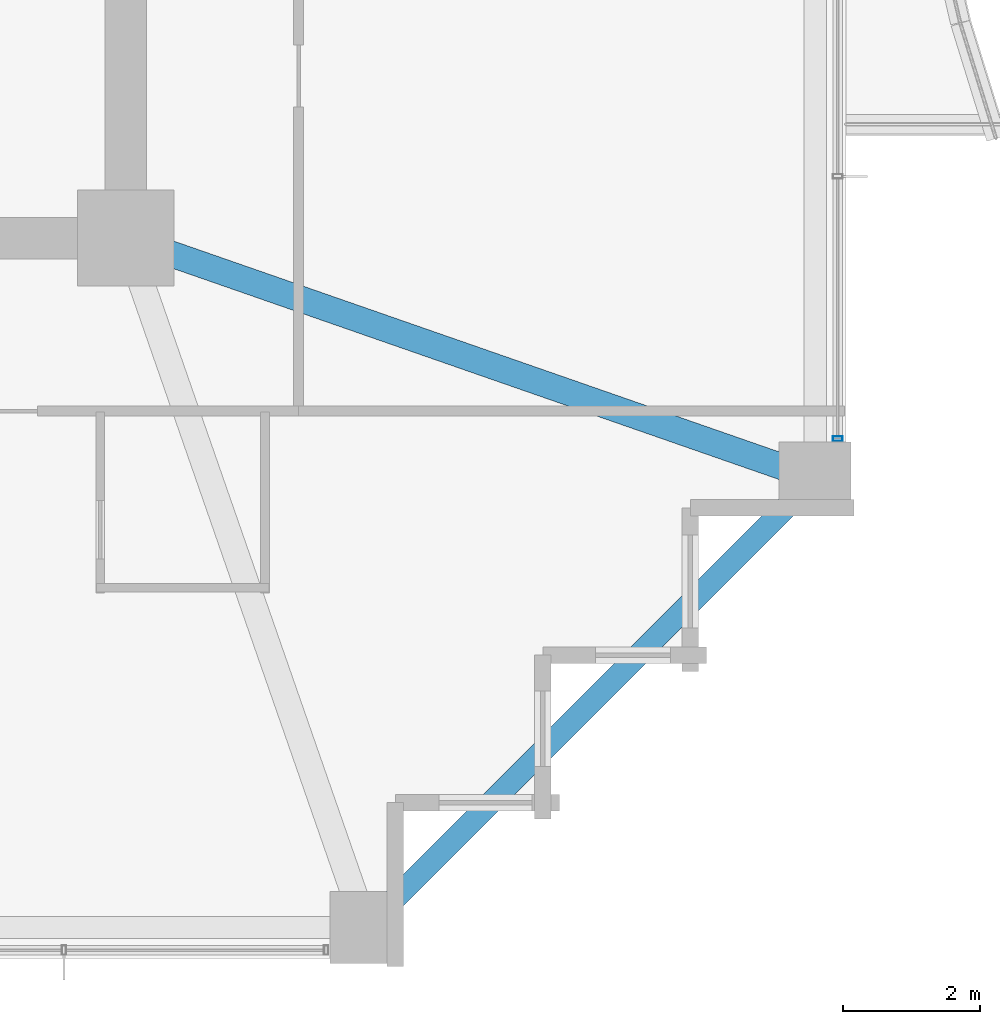
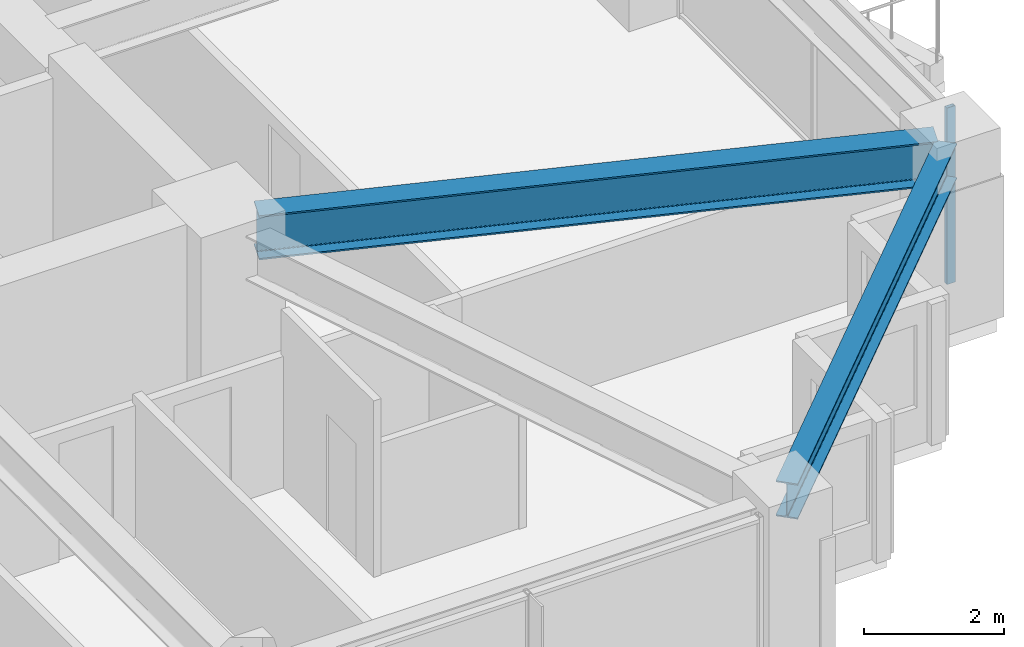
# One storey, part 13 of 36: 2 beams, 1 member, 1 element without a shape of its own.
"""IFC4 building model written with IfcOpenShell, lengths in metres."""

from ifc_helpers import new_model, si_unit, direction, frame, origin, origin_2d, place, context, subcontext, project, spatial, hollow_rectangle, i_section, extrude, material, material_profile, profile_set, type_object, element, aggregate, save


model = new_model("IFC4")

# Units and contexts
model_context = context("Model", 3, precision=1e-05, world=origin(), true_north=direction((0.0, 1.0)))
body_context = subcontext(model_context, "Body", "Model", "MODEL_VIEW")
ifc_project = project(units=[si_unit("LENGTHUNIT", "METRE"), si_unit("AREAUNIT", "SQUARE_METRE"), si_unit("VOLUMEUNIT", "CUBIC_METRE"), si_unit("PLANEANGLEUNIT", "RADIAN"), si_unit("MASSUNIT", "GRAM", prefix="KILO")], contexts=[model_context])

# Site, building, storey
site_placement = place(None, origin())
site = spatial("IfcSite", under=ifc_project, at=site_placement, CompositionType="ELEMENT")
building_placement = place(site_placement, origin())
building = spatial("IfcBuilding", under=site, at=building_placement, Name="Kolvaren Belvedere", CompositionType="ELEMENT")
storey_placement = place(building_placement, frame((0.0, 0.0, 88.699951171875)))
storey = spatial("IfcBuildingStorey", under=building, at=storey_placement, Name="L25", CompositionType="ELEMENT", Elevation=88.699951171875)

# Beams
ifc_material_1 = material(Name="Structural steel ASTM A992 Grade 50", Category="steel")
ifc_material_profile_1 = material_profile(ifc_material_1, i_section(OverallWidth=0.381103515625, OverallDepth=0.77294921875, WebThickness=0.0166015625, FlangeThickness=0.027099609375, FilletRadius=0.02392578125, at=origin_2d()), Name="W30X173")
ifc_profile_set_1 = profile_set([ifc_material_profile_1], Name="Structural steel ASTM A992 Grade 50")
beam_type_1 = type_object("IfcBeamType", Name="BM-GIRD-W30X173", PredefinedType="BEAM", material=ifc_profile_set_1)
beam_1_placement = place(storey_placement, frame((10.41943359375, -10.080810546875, 2.693603515625), z_axis=(0.944371408538, -0.328880894453, 0.0), x_axis=(0.328880894453, 0.944371408538, 0.0)))
element("IfcBeam", 1, at=beam_1_placement, inside=storey, type_object=beam_type_1, Name="L25 Corner Core-to-Perimeter Girder CC2-E1", PredefinedType="BEAM", context=body_context, shape_type="SweptSolid", body=[
    extrude(i_section(OverallWidth=0.381103515625, OverallDepth=0.77294921875, WebThickness=0.0166015625, FlangeThickness=0.027099609375, FilletRadius=0.02392578125, at=origin_2d()), origin(), (0.0, 0.0, 1.0), 9.882080078125),
])
ifc_material_2 = material(Name="Structural steel ASTM A992 Grade 50", Category="steel")
ifc_material_profile_2 = material_profile(ifc_material_2, i_section(OverallWidth=0.324951171875, OverallDepth=0.615966796875, WebThickness=0.013916015625, FlangeThickness=0.021484375, FilletRadius=0.02001953125, at=origin_2d()), Name="W24X117")
ifc_profile_set_2 = profile_set([ifc_material_profile_2], Name="Structural steel ASTM A992 Grade 50")
beam_type_2 = type_object("IfcBeamType", Name="BM-SPAN-W24X117", PredefinedType="SPANDREL", material=ifc_profile_set_2)
beam_2_placement = place(storey_placement, frame((13.567138671875, -19.782958984375, 2.77197265625), z_axis=(0.707106781187, 0.707106781187, 0.0), x_axis=(-0.707106781187, 0.707106781187, 0.0)))
element("IfcBeam", 2, at=beam_2_placement, inside=storey, type_object=beam_type_2, Name="L25 Perimeter Spandrel S4-E1", PredefinedType="SPANDREL", context=body_context, shape_type="SweptSolid", body=[
    extrude(i_section(OverallWidth=0.324951171875, OverallDepth=0.615966796875, WebThickness=0.013916015625, FlangeThickness=0.021484375, FilletRadius=0.02001953125, at=origin_2d()), origin(), (0.0, 0.0, 1.0), 8.79052734375),
])

# Curtain wall, member
ifc_material_3 = material(Name="Anodised pale-metal aluminium AA 6063-T6", Category="aluminium")
curtain_wall_type = type_object("IfcCurtainWallType", Name="CW-Z2-MID", PredefinedType="NOTDEFINED", material=ifc_material_3)
curtain_wall_placement = place(storey_placement, origin())
curtain_wall = element("IfcCurtainWall", 3, at=curtain_wall_placement, inside=storey, type_object=curtain_wall_type, Name="L25 Unitised Curtain Wall FCW-L25-E2-B2", PredefinedType="NOTDEFINED")
ifc_material_4 = material(Name="Anodised pale-metal aluminium AA 6063-T6", Category="aluminium")
ifc_material_profile_3 = material_profile(ifc_material_4, hollow_rectangle(XDim=0.06494140625, YDim=0.139892578125, WallThickness=0.00390625, at=origin_2d()), Name="ALU-MUL-140X65")
ifc_profile_set_3 = profile_set([ifc_material_profile_3], Name="Anodised pale-metal aluminium AA 6063-T6")
member_type = type_object("IfcMemberType", Name="CW-MUL-140", PredefinedType="MULLION", material=ifc_profile_set_3)
member_placement = place(storey_placement, frame((20.280029296875, -12.822509765625, 0.0), z_axis=(0.0, 0.0, 1.0), x_axis=(0.0, 1.0, 0.0)))
member = element("IfcMember", 4, at=member_placement, type_object=member_type, Name="FCW-L25-E2-B2 Unitised Mullion 3", PredefinedType="MULLION", context=body_context, shape_type="SweptSolid", body=[
    extrude(hollow_rectangle(XDim=0.06494140625, YDim=0.139892578125, WallThickness=0.00390625, at=origin_2d()), origin(), (0.0, 0.0, 1.0), 3.080078125),
])
aggregate(curtain_wall, [member])

save(model, "model.ifc")
